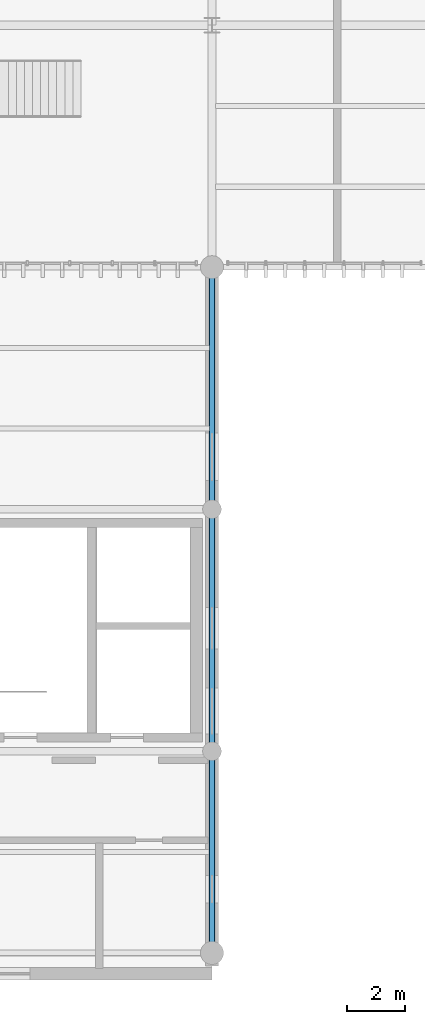
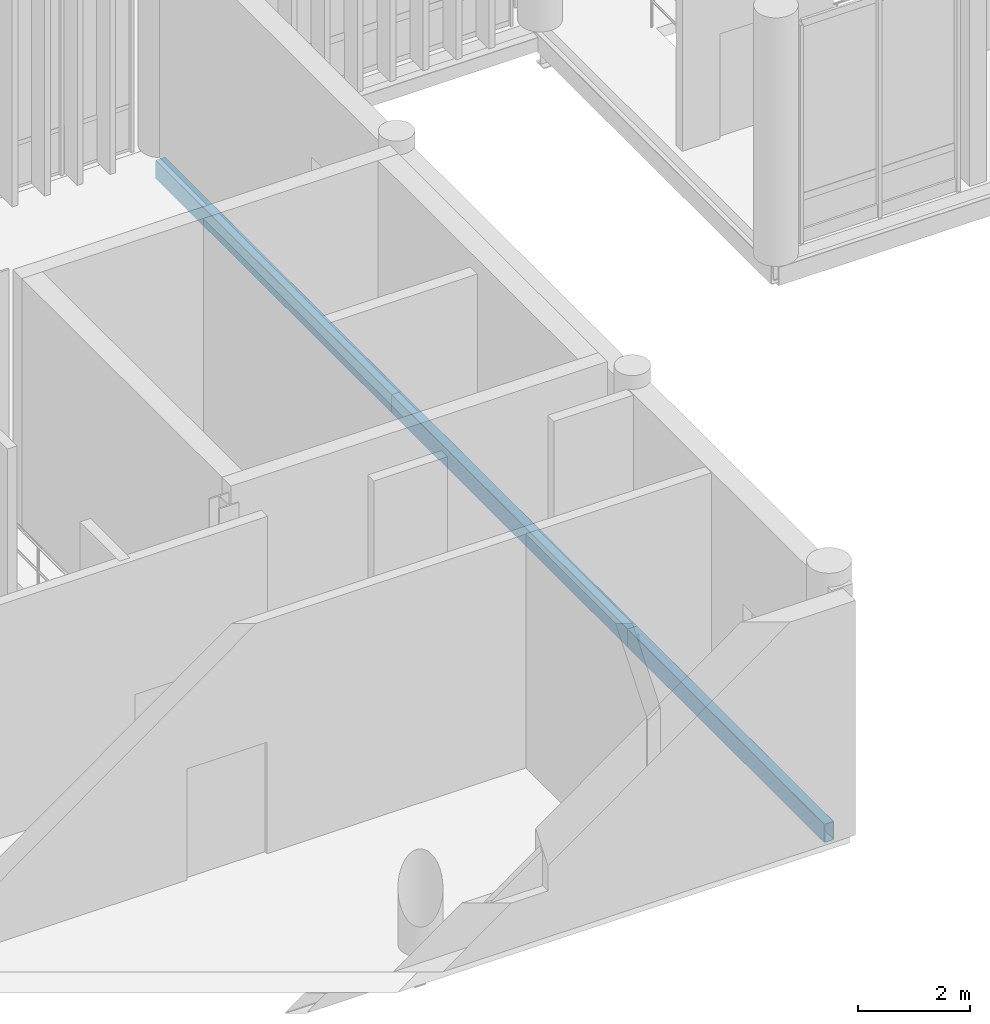
# One storey, part 20 of 128: 3 beams.
"""IFC4 building model written with IfcOpenShell, lengths in metres."""

from ifc_helpers import new_model, si_unit, direction, frame, origin_with_axes, origin_2d_with_axis, place, context, subcontext, project, spatial, hollow_rectangle, extrude, material, material_profile, profile_set, type_object, element, save


model = new_model("IFC4")

# Units and contexts
model_context = context("Model", 3, precision=1e-05, world=origin_with_axes(), true_north=direction((0.0, 1.0)))
body_context = subcontext(model_context, "Body", "Model", "MODEL_VIEW")
ifc_project = project(units=[si_unit("LENGTHUNIT", "METRE"), si_unit("AREAUNIT", "SQUARE_METRE"), si_unit("VOLUMEUNIT", "CUBIC_METRE"), si_unit("PLANEANGLEUNIT", "RADIAN"), si_unit("MASSUNIT", "GRAM", prefix="KILO"), si_unit("THERMODYNAMICTEMPERATUREUNIT", "KELVIN")], contexts=[model_context])

# Site, building, storey
site_placement = place(None, origin_with_axes())
site = spatial("IfcSite", under=ifc_project, at=site_placement, CompositionType="ELEMENT")
building_placement = place(site_placement, origin_with_axes())
building = spatial("IfcBuilding", under=site, at=building_placement, Name="Montbau Bow Law Courts", CompositionType="ELEMENT")
storey_placement = place(building_placement, frame((0.0, 0.0, 5.4), z_axis=(0.0, 0.0, 1.0), x_axis=(1.0, 0.0, 0.0)))
storey = spatial("IfcBuildingStorey", under=building, at=storey_placement, Name="L01", CompositionType="ELEMENT", Elevation=5.4)

# Beams
ifc_material = material(Name="Steel CSA G40.21 Grade 350WT (350 MPa)", Category="steel")
ifc_material_profile = material_profile(ifc_material, hollow_rectangle(XDim=0.203, YDim=0.406, WallThickness=0.0127, InnerFilletRadius=0.0254, OuterFilletRadius=0.0127, at=origin_2d_with_axis()), Name="HSS406X203X13", Category="Main", Priority=0)
ifc_profile_set = profile_set([ifc_material_profile], Name="Steel CSA G40.21 Grade 350WT (350 MPa)")
beam_type = type_object("IfcBeamType", Name="B-SPN-01", PredefinedType="SPANDREL", material=ifc_profile_set)
beam_placement = place(None, frame((39.0, 6.8, 4.897), z_axis=(0.0, 1.0, 0.0), x_axis=(-1.0, 0.0, 0.0)))
element("IfcBeam", 1, at=beam_placement, inside=storey, type_object=beam_type, Name="SPN-L01-S0515:bm2_0518", PredefinedType="SPANDREL", context=body_context, shape_type="SweptSolid", body=[
    extrude(hollow_rectangle(XDim=0.203, YDim=0.406, WallThickness=0.0127, InnerFilletRadius=0.0254, OuterFilletRadius=0.0127, at=origin_2d_with_axis()), origin_with_axes(), (0.0, 0.0, 1.0), 7.0),
])
for number, where, z_axis, x_axis, name in (
    (2, (39.0, 13.8, 4.897), (0.0, 1.0, 0.0), (-1.0, 0.0, 0.0), "SPN-L01-S0516:bm2_0519"),
    (3, (39.0, 22.2, 4.897), (0.0, 1.0, 0.0), (-1.0, 0.0, 0.0), "SPN-L01-S0517:bm2_0520"),
):
    element("IfcBeam", number, at=place(None, frame(where, z_axis=z_axis, x_axis=x_axis)), inside=storey, type_object=beam_type, Name=name, PredefinedType="SPANDREL", context=body_context, shape_type="SweptSolid", body=[
        extrude(hollow_rectangle(XDim=0.203, YDim=0.406, WallThickness=0.0127, InnerFilletRadius=0.0254, OuterFilletRadius=0.0127, at=origin_2d_with_axis()), origin_with_axes(), (0.0, 0.0, 1.0), 8.4),
    ])

save(model, "model.ifc")
